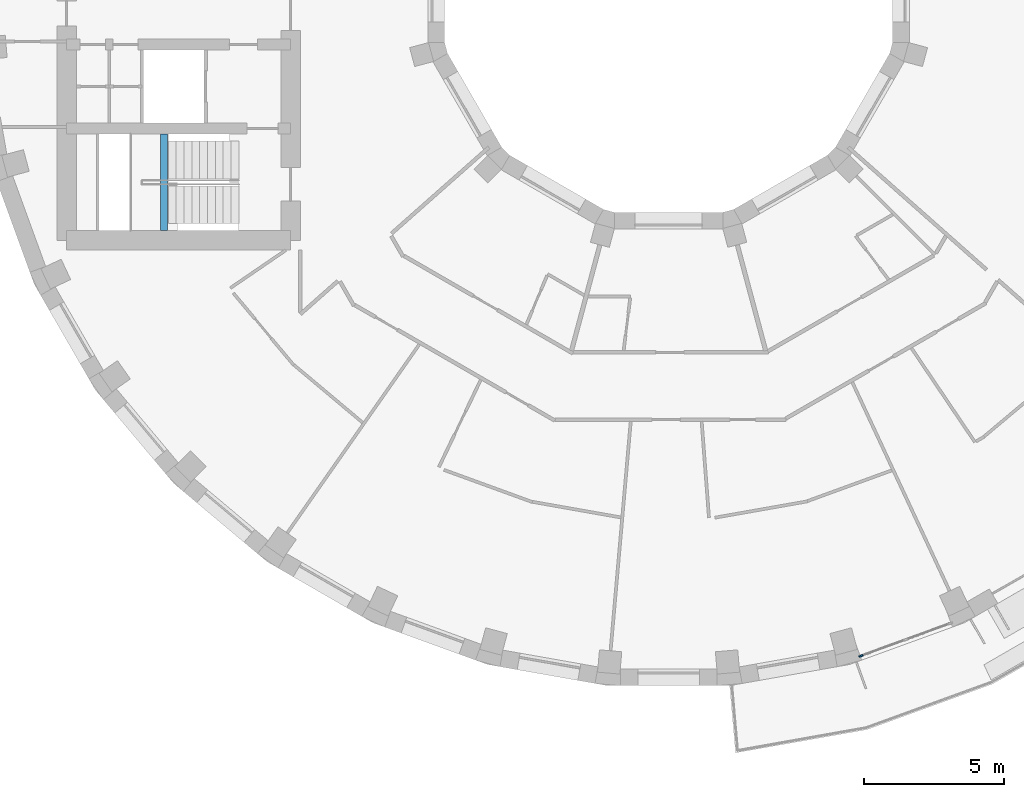
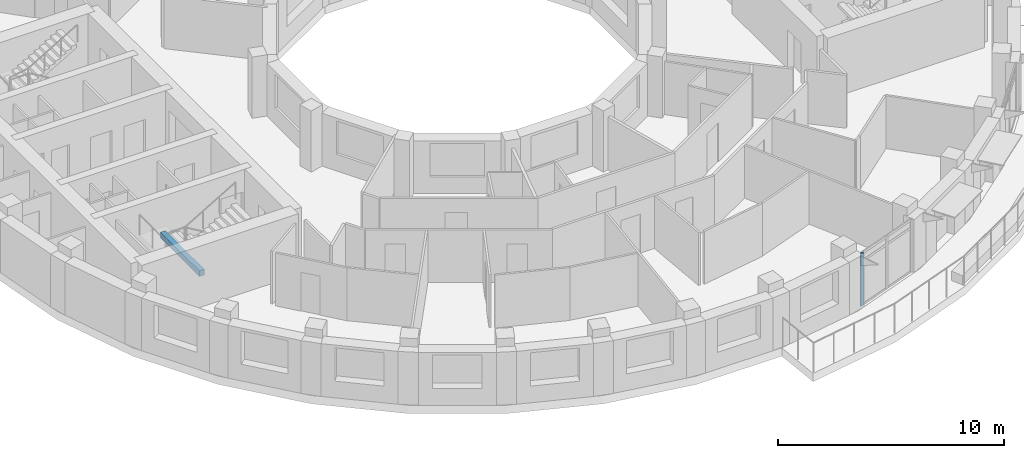
# One storey, part 2 of 15: 1 beam, 1 member, 1 element without a shape of its own.
"""IFC4 building model written with IfcOpenShell, lengths in metres."""

from ifc_helpers import new_model, si_unit, direction, frame, origin, origin_2d, place, context, subcontext, project, spatial, rectangle, extrude, material, layer, layer_set, material_profile, profile_set, type_object, element, aggregate, save


model = new_model("IFC4")

# Units and contexts
model_context = context("Model", 3, precision=1e-05, world=origin(), true_north=direction((0.0, 1.0)))
body_context = subcontext(model_context, "Body", "Model", "MODEL_VIEW")
ifc_project = project(units=[si_unit("LENGTHUNIT", "METRE"), si_unit("AREAUNIT", "SQUARE_METRE"), si_unit("VOLUMEUNIT", "CUBIC_METRE"), si_unit("PLANEANGLEUNIT", "RADIAN"), si_unit("MASSUNIT", "GRAM", prefix="KILO")], contexts=[model_context])

# Site, building, storey
site_placement = place(None, origin())
site = spatial("IfcSite", under=ifc_project, at=site_placement, CompositionType="ELEMENT")
building_placement = place(site_placement, origin())
building = spatial("IfcBuilding", under=site, at=building_placement, Name="Saqina Gate Tower", CompositionType="ELEMENT")
storey_placement = place(building_placement, frame((0.0, 0.0, 160.800048828125)))
storey = spatial("IfcBuildingStorey", under=building, at=storey_placement, Name="L45", CompositionType="ELEMENT", Elevation=160.800048828125)

# Curtain wall, member
ifc_material_1 = material(Name="Aluminium glazing", Category="aluminium")
ifc_layer = layer(ifc_material_1, 0.159912109375)
ifc_layer_set = layer_set([ifc_layer], Name="CWT-4")
curtain_wall_type = type_object("IfcCurtainWallType", Name="CWT-4", PredefinedType="NOTDEFINED", material=ifc_layer_set)
curtain_wall_placement = place(storey_placement, origin())
curtain_wall = element("IfcCurtainWall", 1, at=curtain_wall_placement, inside=storey, type_object=curtain_wall_type, Name="Terrace lounge glazing facet 29", PredefinedType="NOTDEFINED")
ifc_material_2 = material(Name="Aluminium", Category="aluminium")
ifc_material_profile_1 = material_profile(ifc_material_2, rectangle(XDim=0.06005859375, YDim=0.159912109375, at=origin_2d()), Name="Aluminium 60x160")
ifc_profile_set_1 = profile_set([ifc_material_profile_1], Name="Aluminium")
member_type = type_object("IfcMemberType", Name="CWT-4M", PredefinedType="MULLION", material=ifc_profile_set_1)
member_placement = place(storey_placement, frame((6.8740234375, -23.841552734375, 0.0), z_axis=(0.0, 0.0, 1.0), x_axis=(-0.342024671777, 0.939690972552, 0.0)))
member = element("IfcMember", 2, at=member_placement, type_object=member_type, Name="CW4-29 mullion 1", PredefinedType="MULLION", context=body_context, shape_type="SweptSolid", body=[
    extrude(rectangle(XDim=0.06005859375, YDim=0.159912109375, at=origin_2d()), origin(), (0.0, 0.0, 1.0), 2.849853515625),
])
aggregate(curtain_wall, [member])

# Beam
ifc_material_3 = material(Name="Concrete C40/50", Category="concrete")
ifc_material_profile_2 = material_profile(ifc_material_3, rectangle(XDim=0.25, YDim=0.300048828125, at=origin_2d()), Name="STAIR LANDING BEAM")
ifc_profile_set_2 = profile_set([ifc_material_profile_2], Name="Concrete C40/50")
beam_type = type_object("IfcBeamType", Name="STAIR LANDING BEAM", PredefinedType="BEAM", material=ifc_profile_set_2)
beam_placement = place(storey_placement, frame((-18.02001953125, -8.64990234375, 1.25), z_axis=(0.0, 1.0, 0.0), x_axis=(-1.0, 0.0, 0.0)))
element("IfcBeam", 3, at=beam_placement, inside=storey, type_object=beam_type, Name="EXIT STAIR 4 LANDING BEAM", PredefinedType="BEAM", context=body_context, shape_type="SweptSolid", body=[
    extrude(rectangle(XDim=0.25, YDim=0.300048828125, at=origin_2d()), origin(), (0.0, 0.0, 1.0), 3.449951171875),
])

save(model, "model.ifc")
